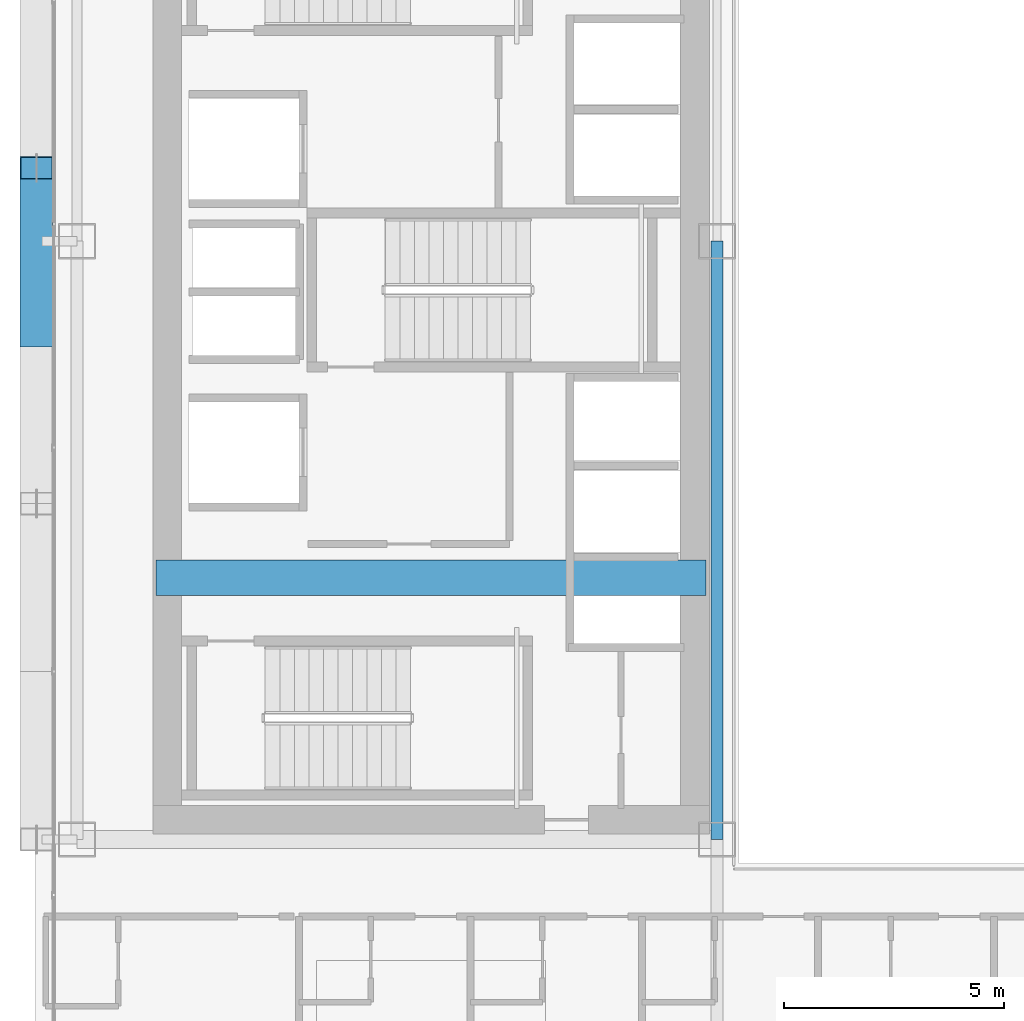
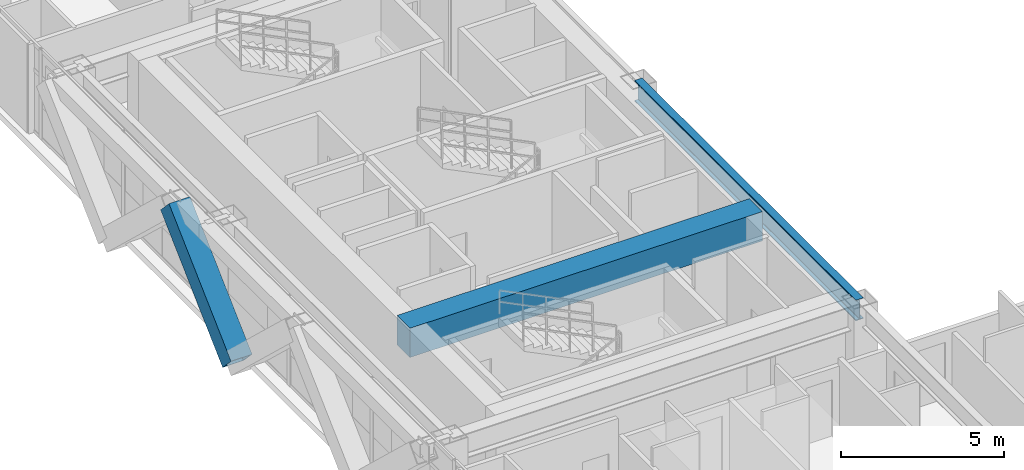
# One storey, part 7 of 36: 2 beams, 1 member.
"""IFC4 building model written with IfcOpenShell, lengths in metres."""

from ifc_helpers import new_model, si_unit, direction, frame, origin, origin_2d, place, context, subcontext, project, spatial, rectangle, hollow_rectangle, i_section, extrude, source, transform, mapped, material, material_profile, profile_set, type_object, element, save


model = new_model("IFC4")

# Units and contexts
model_context = context("Model", 3, precision=1e-05, world=origin(), true_north=direction((0.0, 1.0)))
body_context = subcontext(model_context, "Body", "Model", "MODEL_VIEW")
ifc_project = project(units=[si_unit("LENGTHUNIT", "METRE"), si_unit("AREAUNIT", "SQUARE_METRE"), si_unit("VOLUMEUNIT", "CUBIC_METRE"), si_unit("PLANEANGLEUNIT", "RADIAN"), si_unit("MASSUNIT", "GRAM", prefix="KILO")], contexts=[model_context])

# Site, building, storey
site_placement = place(None, origin())
site = spatial("IfcSite", under=ifc_project, at=site_placement, CompositionType="ELEMENT")
building_placement = place(site_placement, origin())
building = spatial("IfcBuilding", under=site, at=building_placement, Name="Ocotamira Hotel", CompositionType="ELEMENT")
storey_placement = place(building_placement, frame((0.0, 0.0, 136.800048828125)))
storey = spatial("IfcBuildingStorey", under=building, at=storey_placement, Name="L34", CompositionType="ELEMENT", Elevation=136.800048828125)

# Beams
ifc_material_1 = material(Name="Concrete C60/75", Category="concrete")
ifc_material_profile_1 = material_profile(ifc_material_1, rectangle(XDim=0.800048828125, YDim=1.10009765625, at=origin_2d()), Name="RC800X1100")
ifc_profile_set_1 = profile_set([ifc_material_profile_1], Name="Concrete C60/75")
beam_type_1 = type_object("IfcBeamType", Name="BM-LINK-RC800", PredefinedType="LINTEL", material=ifc_profile_set_1)
shared_shape_1 = source(origin(), body_context, "Body", "SweptSolid", [
    extrude(rectangle(XDim=0.800048828125, YDim=1.10009765625, at=origin_2d()), origin(), (0.0, 0.0, 1.0), 12.5),
])
beam_1_placement = place(storey_placement, frame((10.75, 20.5, 2.81005859375), z_axis=(1.0, 0.0, 0.0), x_axis=(0.0, 1.0, 0.0)))
element("IfcBeam", 1, at=beam_1_placement, inside=storey, type_object=beam_type_1, Name="L34 West Core Coupling Beam", PredefinedType="LINTEL", context=body_context, shape_type="MappedRepresentation", body=[
    mapped(shared_shape_1, transform((0.0, 0.0, 0.0), scale=1.0)),
])
ifc_material_2 = material(Name="Steel ASTM A992 Grade 50", Category="steel")
ifc_material_profile_2 = material_profile(ifc_material_2, i_section(OverallWidth=0.26611328125, OverallDepth=0.779052734375, WebThickness=0.0166015625, FlangeThickness=0.030029296875, FilletRadius=0.01806640625, at=origin_2d()), Name="W30X148")
ifc_profile_set_2 = profile_set([ifc_material_profile_2], Name="Steel ASTM A992 Grade 50")
beam_type_2 = type_object("IfcBeamType", Name="BM-GIRD-W30X148", PredefinedType="BEAM", material=ifc_profile_set_2)
shared_shape_2 = source(origin(), body_context, "Body", "SweptSolid", [
    extrude(i_section(OverallWidth=0.26611328125, OverallDepth=0.779052734375, WebThickness=0.0166015625, FlangeThickness=0.030029296875, FilletRadius=0.01806640625, at=origin_2d()), origin(), (0.0, 0.0, 1.0), 13.599853515625),
])
beam_2_placement = place(storey_placement, frame((23.5, 14.550048828125, 2.970458984375), z_axis=(0.0, 1.0, 0.0), x_axis=(-1.0, 0.0, 0.0)))
element("IfcBeam", 2, at=beam_2_placement, inside=storey, type_object=beam_type_2, Name="L34 Beam X23.5 Y14.55-28.15", PredefinedType="BEAM", context=body_context, shape_type="MappedRepresentation", body=[
    mapped(shared_shape_2, transform((0.0, 0.0, 0.0), scale=1.0)),
])

# Member
ifc_material_3 = material(Name="Pale-metal coated steel ASTM A913 Grade 65", Category="steel")
ifc_material_profile_3 = material_profile(ifc_material_3, hollow_rectangle(XDim=0.75, YDim=0.75, WallThickness=0.028076171875, at=origin_2d()), Name="BOX750X750X28")
ifc_profile_set_3 = profile_set([ifc_material_profile_3], Name="Pale-metal coated steel ASTM A913 Grade 65")
member_type = type_object("IfcMemberType", Name="MEM-EXO-BOX750", PredefinedType="BRACE", material=ifc_profile_set_3)
shared_shape_3 = source(origin(), body_context, "Body", "SweptSolid", [
    extrude(hollow_rectangle(XDim=0.75, YDim=0.75, WallThickness=0.028076171875, at=origin_2d()), origin(), (0.0, 0.0, 1.0), 5.24658203125),
])
member_placement = place(storey_placement, frame((8.030029296875, 26.0, -0.489990234375), z_axis=(0.0, 0.72746596067, 0.686143772154), x_axis=(-1.0, 0.0, 0.0)))
element("IfcMember", 3, at=member_placement, inside=storey, type_object=member_type, Name="L34 Exoskeleton Diagrid W1.2", PredefinedType="BRACE", context=body_context, shape_type="MappedRepresentation", body=[
    mapped(shared_shape_3, transform((0.0, 0.0, 0.0), scale=1.0)),
])

save(model, "model.ifc")
